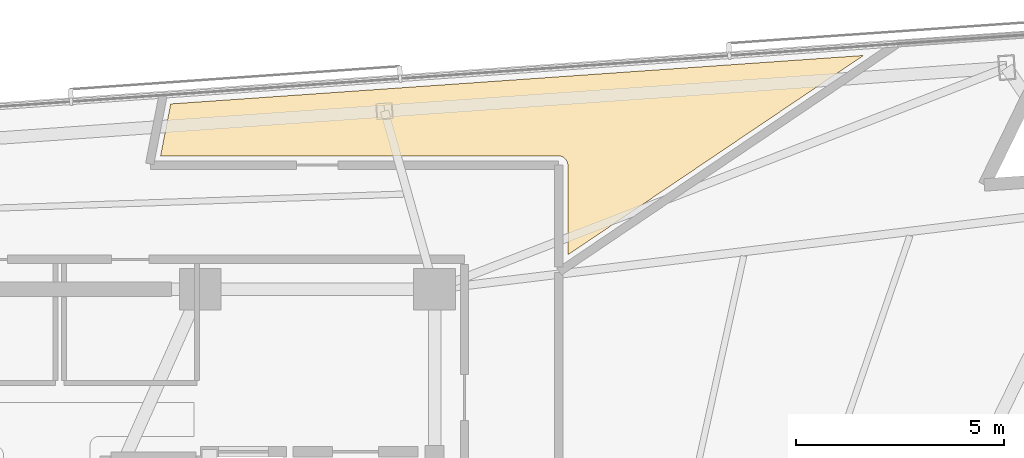
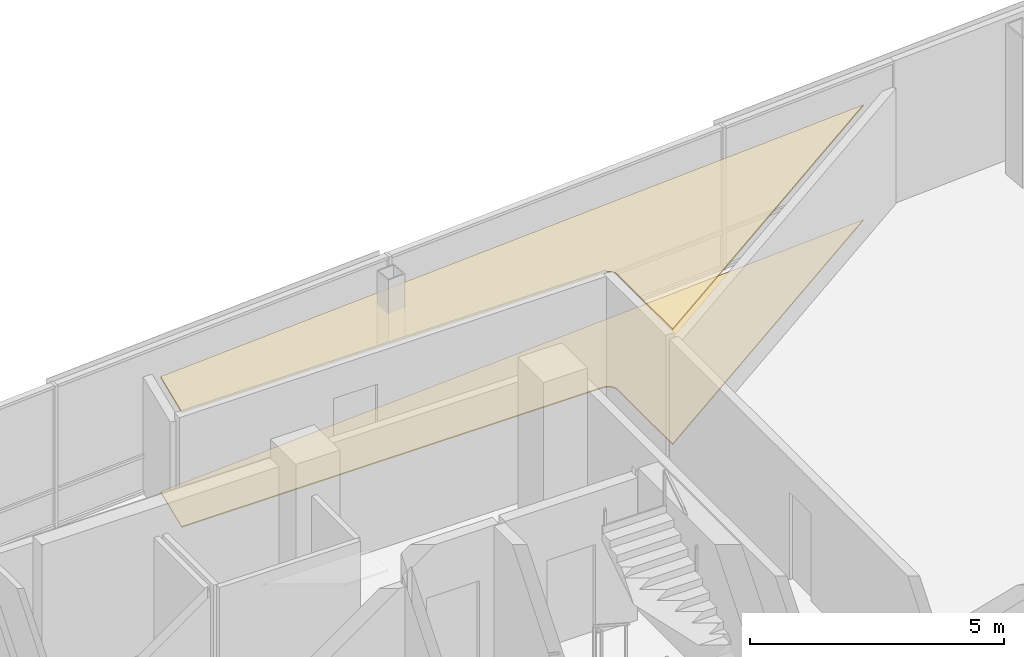
# One storey, part 16 of 16: 2 coverings.
"""IFC4 building model written with IfcOpenShell, lengths in metres."""

from ifc_helpers import new_model, si_unit, direction, frame, origin, place, context, subcontext, project, spatial, polyline, outline, extrude, material, layer, layer_set, type_object, element, save


model = new_model("IFC4")

# Units and contexts
model_context = context("Model", 3, precision=1e-05, world=origin(), true_north=direction((0.0, 1.0)))
body_context = subcontext(model_context, "Body", "Model", "MODEL_VIEW")
ifc_project = project(units=[si_unit("LENGTHUNIT", "METRE"), si_unit("AREAUNIT", "SQUARE_METRE"), si_unit("VOLUMEUNIT", "CUBIC_METRE"), si_unit("PLANEANGLEUNIT", "RADIAN"), si_unit("MASSUNIT", "GRAM", prefix="KILO")], contexts=[model_context])

# Site, building, storey
site_placement = place(None, origin())
site = spatial("IfcSite", under=ifc_project, at=site_placement, CompositionType="ELEMENT")
building_placement = place(site_placement, origin())
building = spatial("IfcBuilding", under=site, at=building_placement, Name="Tharavind Bronze Gate", CompositionType="ELEMENT")
storey_placement = place(building_placement, frame((0.0, 0.0, 264.199951171875)))
storey = spatial("IfcBuildingStorey", under=building, at=storey_placement, Name="L68", CompositionType="ELEMENT", Elevation=264.199951171875)

# Coverings
ifc_material_1 = material(Name="Engineered Oak & Carpet Tile", Category="wood")
ifc_layer_1 = layer(ifc_material_1, 0.02490234375)
ifc_layer_set_1 = layer_set([ifc_layer_1], Name="Engineered Oak & Carpet Tile")
covering_type_1 = type_object("IfcCoveringType", Name="ENGINEERED TIMBER FLOORING", PredefinedType="FLOORING", material=ifc_layer_set_1)
covering_1_placement = place(storey_placement, origin())
element("IfcCovering", 1, at=covering_1_placement, inside=storey, type_object=covering_type_1, Name="L68-RM-01 floor finish", PredefinedType="FLOORING", context=body_context, shape_type="SweptSolid", body=[
    extrude(outline(polyline([(11.87939453125, 10.800048828125), (11.89013671875, 10.7998046875), (11.890869140625, 10.7998046875), (11.912353515625, 10.797607421875), (11.933349609375, 10.79345703125), (11.9541015625, 10.787109375), (11.97412109375, 10.77880859375), (11.9931640625, 10.768798828125), (12.010986328125, 10.756591796875), (12.027587890625, 10.742919921875), (12.04296875, 10.727783203125), (12.056640625, 10.7109375), (12.068603515625, 10.693115234375), (12.078857421875, 10.674072265625), (12.087158203125, 10.654052734375), (12.093505859375, 10.63330078125), (12.09765625, 10.6123046875), (12.099609375, 10.5908203125), (12.099609375, 10.590087890625), (12.10009765625, 10.579345703125), (12.10009765625, 8.427001953125), (19.195556640625, 13.212890625), (2.56640625, 12.050048828125), (2.323486328125, 10.800048828125), (11.87939453125, 10.800048828125)])), origin(), (0.0, 0.0, 1.0), 0.025146484375),
])
ifc_material_2 = material(Name="Acoustic Gypsum Board", Category="gypsum")
ifc_layer_2 = layer(ifc_material_2, 0.030029296875)
ifc_layer_set_2 = layer_set([ifc_layer_2], Name="Acoustic Gypsum Board")
covering_type_2 = type_object("IfcCoveringType", Name="GYPSUM SUSPENDED CEILING", PredefinedType="CEILING", material=ifc_layer_set_2)
covering_2_placement = place(storey_placement, frame((0.0, 0.0, 2.75)))
element("IfcCovering", 2, at=covering_2_placement, inside=storey, type_object=covering_type_2, Name="L68-RM-01 suspended ceiling", PredefinedType="CEILING", context=body_context, shape_type="SweptSolid", body=[
    extrude(outline(polyline([(11.87939453125, 10.800048828125), (11.89013671875, 10.7998046875), (11.890869140625, 10.7998046875), (11.912353515625, 10.797607421875), (11.933349609375, 10.79345703125), (11.9541015625, 10.787109375), (11.97412109375, 10.77880859375), (11.9931640625, 10.768798828125), (12.010986328125, 10.756591796875), (12.027587890625, 10.742919921875), (12.04296875, 10.727783203125), (12.056640625, 10.7109375), (12.068603515625, 10.693115234375), (12.078857421875, 10.674072265625), (12.087158203125, 10.654052734375), (12.093505859375, 10.63330078125), (12.09765625, 10.6123046875), (12.099609375, 10.5908203125), (12.099609375, 10.590087890625), (12.10009765625, 10.579345703125), (12.10009765625, 8.427001953125), (19.195556640625, 13.212890625), (2.56640625, 12.050048828125), (2.323486328125, 10.800048828125), (11.87939453125, 10.800048828125)])), origin(), (0.0, 0.0, 1.0), 0.03515625),
])

save(model, "model.ifc")
